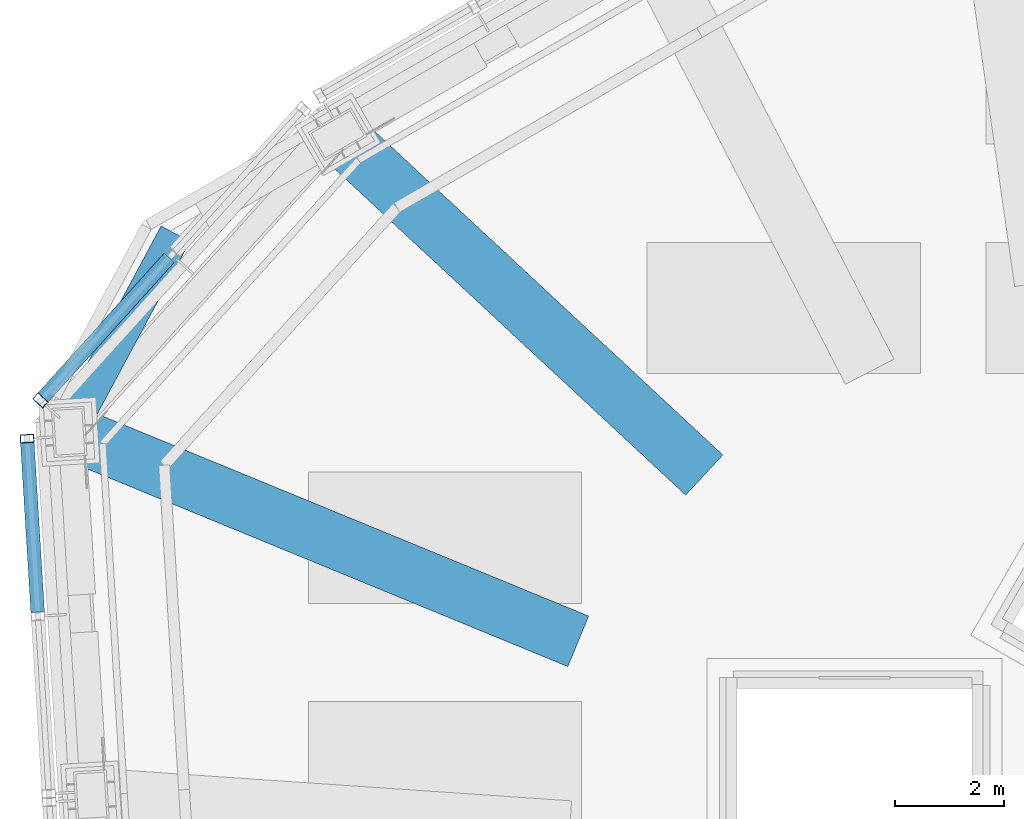
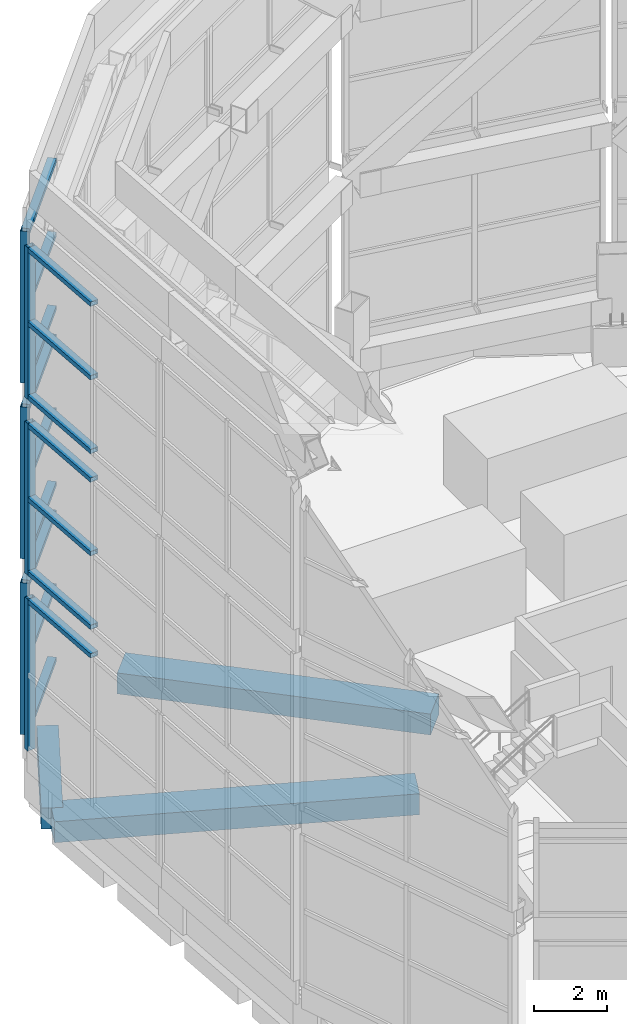
# One storey, part 8 of 46: 22 members, 3 beams, 6 elements without a shape of their own.
"""IFC4 building model written with IfcOpenShell, lengths in metres."""

from ifc_helpers import new_model, si_unit, direction, frame, origin, origin_2d, place, context, subcontext, project, spatial, rectangle, hollow_rectangle, extrude, material, material_profile, profile_set, type_object, element, aggregate, save


model = new_model("IFC4")

# Units and contexts
model_context = context("Model", 3, precision=1e-05, world=origin(), true_north=direction((0.0, 1.0)))
body_context = subcontext(model_context, "Body", "Model", "MODEL_VIEW")
ifc_project = project(units=[si_unit("LENGTHUNIT", "METRE"), si_unit("AREAUNIT", "SQUARE_METRE"), si_unit("VOLUMEUNIT", "CUBIC_METRE"), si_unit("PLANEANGLEUNIT", "RADIAN"), si_unit("MASSUNIT", "GRAM", prefix="KILO")], contexts=[model_context])

# Site, building, storey
site_placement = place(None, origin())
site = spatial("IfcSite", under=ifc_project, at=site_placement, CompositionType="ELEMENT")
building_placement = place(site_placement, origin())
building = spatial("IfcBuilding", under=site, at=building_placement, Name="Vanh Sen Convention Tower", CompositionType="ELEMENT")
storey_placement = place(building_placement, frame((0.0, 0.0, 305.0)))
storey = spatial("IfcBuildingStorey", under=building, at=storey_placement, Name="Roof level", CompositionType="ELEMENT", Elevation=305.0)

# Curtain wall, member
ifc_material_1 = material(Name="Concrete C60/75", Category="concrete")
curtain_wall_type = type_object("IfcCurtainWallType", Name="Crown screen", PredefinedType="NOTDEFINED", material=ifc_material_1)
curtain_wall_1_placement = place(storey_placement, origin())
curtain_wall_1 = element("IfcCurtainWall", 1, at=curtain_wall_1_placement, inside=storey, type_object=curtain_wall_type, Name="CROWN SCREEN 09 tier 1", PredefinedType="NOTDEFINED")
ifc_material_2 = material(Name="Steel S355", Category="steel")
ifc_material_profile_1 = material_profile(ifc_material_2, hollow_rectangle(XDim=0.25, YDim=0.14990234375, WallThickness=0.008056640625, at=origin_2d()), Name="RHS 250X150X8")
ifc_profile_set_1 = profile_set([ifc_material_profile_1], Name="Steel S355")
member_type_1 = type_object("IfcMemberType", Name="Crown screen mullion RHS 250X150X8", PredefinedType="MULLION", material=ifc_profile_set_1)
member_1_placement = place(storey_placement, frame((-19.84619140625, 8.52197265625, 2.14501953125), z_axis=(0.0, 0.0, 1.0), x_axis=(0.742232346529, -0.67014262942, 0.0)))
member_1 = element("IfcMember", 2, at=member_1_placement, type_object=member_type_1, Name="CROWN SCREEN6 mullion 3", PredefinedType="MULLION", context=body_context, shape_type="SweptSolid", body=[
    extrude(hollow_rectangle(XDim=0.25, YDim=0.14990234375, WallThickness=0.008056640625, at=origin_2d()), origin(), (0.0, 0.0, 1.0), 5.068359375),
])

curtain_wall_2_placement = place(storey_placement, origin())
curtain_wall_2 = element("IfcCurtainWall", 3, at=curtain_wall_2_placement, inside=storey, type_object=curtain_wall_type, Name="CROWN SCREEN 09 tier 2", PredefinedType="NOTDEFINED")
member_2_placement = place(storey_placement, frame((-19.84619140625, 8.52197265625, 8.01318359375), z_axis=(0.0, 0.0, 1.0), x_axis=(0.742232346529, -0.67014262942, 0.0)))
member_2 = element("IfcMember", 4, at=member_2_placement, type_object=member_type_1, Name="CROWN SCREEN6 mullion 3", PredefinedType="MULLION", context=body_context, shape_type="SweptSolid", body=[
    extrude(hollow_rectangle(XDim=0.25, YDim=0.14990234375, WallThickness=0.008056640625, at=origin_2d()), origin(), (0.0, 0.0, 1.0), 5.068603515625),
])

curtain_wall_3_placement = place(storey_placement, origin())
curtain_wall_3 = element("IfcCurtainWall", 5, at=curtain_wall_3_placement, inside=storey, type_object=curtain_wall_type, Name="CROWN SCREEN 09 tier 3", PredefinedType="NOTDEFINED")
member_3_placement = place(storey_placement, frame((-19.84619140625, 8.52197265625, 13.881591796875), z_axis=(0.0, 0.0, 1.0), x_axis=(0.742232346529, -0.67014262942, 0.0)))
member_3 = element("IfcMember", 6, at=member_3_placement, type_object=member_type_1, Name="CROWN SCREEN6 mullion 3", PredefinedType="MULLION", context=body_context, shape_type="SweptSolid", body=[
    extrude(hollow_rectangle(XDim=0.25, YDim=0.14990234375, WallThickness=0.008056640625, at=origin_2d()), origin(), (0.0, 0.0, 1.0), 5.068359375),
])

curtain_wall_4_placement = place(storey_placement, origin())
curtain_wall_4 = element("IfcCurtainWall", 7, at=curtain_wall_4_placement, inside=storey, type_object=curtain_wall_type, Name="CROWN SCREEN 10 tier 1", PredefinedType="NOTDEFINED")
member_4_placement = place(storey_placement, frame((-20.09033203125, 7.82470703125, 2.14501953125), z_axis=(0.0, 0.0, 1.0), x_axis=(0.998134674694, 0.061050562431, 0.0)))
member_4 = element("IfcMember", 8, at=member_4_placement, type_object=member_type_1, Name="CROWN SCREEN6 mullion 1", PredefinedType="MULLION", context=body_context, shape_type="SweptSolid", body=[
    extrude(hollow_rectangle(XDim=0.25, YDim=0.14990234375, WallThickness=0.008056640625, at=origin_2d()), origin(), (0.0, 0.0, 1.0), 5.068359375),
])

curtain_wall_5_placement = place(storey_placement, origin())
curtain_wall_5 = element("IfcCurtainWall", 9, at=curtain_wall_5_placement, inside=storey, type_object=curtain_wall_type, Name="CROWN SCREEN 10 tier 2", PredefinedType="NOTDEFINED")
member_5_placement = place(storey_placement, frame((-20.09033203125, 7.82470703125, 8.01318359375), z_axis=(0.0, 0.0, 1.0), x_axis=(0.998134674694, 0.061050562431, 0.0)))
member_5 = element("IfcMember", 10, at=member_5_placement, type_object=member_type_1, Name="CROWN SCREEN6 mullion 1", PredefinedType="MULLION", context=body_context, shape_type="SweptSolid", body=[
    extrude(hollow_rectangle(XDim=0.25, YDim=0.14990234375, WallThickness=0.008056640625, at=origin_2d()), origin(), (0.0, 0.0, 1.0), 5.068603515625),
])

curtain_wall_6_placement = place(storey_placement, origin())
curtain_wall_6 = element("IfcCurtainWall", 11, at=curtain_wall_6_placement, inside=storey, type_object=curtain_wall_type, Name="CROWN SCREEN 10 tier 3", PredefinedType="NOTDEFINED")
member_6_placement = place(storey_placement, frame((-20.09033203125, 7.82470703125, 13.881591796875), z_axis=(0.0, 0.0, 1.0), x_axis=(0.998134674694, 0.061050562431, 0.0)))
member_6 = element("IfcMember", 12, at=member_6_placement, type_object=member_type_1, Name="CROWN SCREEN6 mullion 1", PredefinedType="MULLION", context=body_context, shape_type="SweptSolid", body=[
    extrude(hollow_rectangle(XDim=0.25, YDim=0.14990234375, WallThickness=0.008056640625, at=origin_2d()), origin(), (0.0, 0.0, 1.0), 5.068359375),
])

# Member
ifc_material_profile_2 = material_profile(ifc_material_2, hollow_rectangle(XDim=0.25, YDim=0.14990234375, WallThickness=0.008056640625, at=origin_2d()), Name="RHS 250X150X8")
ifc_profile_set_2 = profile_set([ifc_material_profile_2], Name="Steel S355")
member_type_2 = type_object("IfcMemberType", Name="Crown screen transom RHS 250X150X8", PredefinedType="USERDEFINED", material=ifc_profile_set_2)
member_7_placement = place(storey_placement, frame((-17.48876953125, 11.1328125, 2.219970703125), z_axis=(-0.670162784552, -0.742214148478, 0.0), x_axis=(0.742214148478, -0.670162784552, 0.0)))
member_7 = element("IfcMember", 13, at=member_7_placement, type_object=member_type_2, Name="CROWN SCREEN6 transom 2.1", ObjectType="TRANSOM", PredefinedType="USERDEFINED", context=body_context, shape_type="SweptSolid", body=[
    extrude(hollow_rectangle(XDim=0.25, YDim=0.14990234375, WallThickness=0.008056640625, at=origin_2d()), origin(), (0.0, 0.0, 1.0), 3.442626953125),
])

member_8_placement = place(storey_placement, frame((-17.48876953125, 11.1328125, 4.67919921875), z_axis=(-0.670162784552, -0.742214148478, 0.0), x_axis=(0.742214148478, -0.670162784552, 0.0)))
member_8 = element("IfcMember", 14, at=member_8_placement, type_object=member_type_2, Name="CROWN SCREEN6 transom 2.2", ObjectType="TRANSOM", PredefinedType="USERDEFINED", context=body_context, shape_type="SweptSolid", body=[
    extrude(hollow_rectangle(XDim=0.25, YDim=0.14990234375, WallThickness=0.008056640625, at=origin_2d()), origin(), (0.0, 0.0, 1.0), 3.442626953125),
])

member_9_placement = place(storey_placement, frame((-17.48876953125, 11.1328125, 7.13818359375), z_axis=(-0.670162784552, -0.742214148478, 0.0), x_axis=(0.742214148478, -0.670162784552, 0.0)))
member_9 = element("IfcMember", 15, at=member_9_placement, type_object=member_type_2, Name="CROWN SCREEN6 transom 2.3", ObjectType="TRANSOM", PredefinedType="USERDEFINED", context=body_context, shape_type="SweptSolid", body=[
    extrude(hollow_rectangle(XDim=0.25, YDim=0.14990234375, WallThickness=0.008056640625, at=origin_2d()), origin(), (0.0, 0.0, 1.0), 3.442626953125),
])

aggregate(curtain_wall_1, [member_1, member_7, member_8, member_9])

member_10_placement = place(storey_placement, frame((-17.48876953125, 11.1328125, 8.08837890625), z_axis=(-0.670162784552, -0.742214148478, 0.0), x_axis=(0.742214148478, -0.670162784552, 0.0)))
member_10 = element("IfcMember", 16, at=member_10_placement, type_object=member_type_2, Name="CROWN SCREEN6 transom 2.1", ObjectType="TRANSOM", PredefinedType="USERDEFINED", context=body_context, shape_type="SweptSolid", body=[
    extrude(hollow_rectangle(XDim=0.25, YDim=0.14990234375, WallThickness=0.008056640625, at=origin_2d()), origin(), (0.0, 0.0, 1.0), 3.442626953125),
])

member_11_placement = place(storey_placement, frame((-17.48876953125, 11.1328125, 10.547607421875), z_axis=(-0.670162784552, -0.742214148478, 0.0), x_axis=(0.742214148478, -0.670162784552, 0.0)))
member_11 = element("IfcMember", 17, at=member_11_placement, type_object=member_type_2, Name="CROWN SCREEN6 transom 2.2", ObjectType="TRANSOM", PredefinedType="USERDEFINED", context=body_context, shape_type="SweptSolid", body=[
    extrude(hollow_rectangle(XDim=0.25, YDim=0.14990234375, WallThickness=0.008056640625, at=origin_2d()), origin(), (0.0, 0.0, 1.0), 3.442626953125),
])

member_12_placement = place(storey_placement, frame((-17.48876953125, 11.1328125, 13.006591796875), z_axis=(-0.670162784552, -0.742214148478, 0.0), x_axis=(0.742214148478, -0.670162784552, 0.0)))
member_12 = element("IfcMember", 18, at=member_12_placement, type_object=member_type_2, Name="CROWN SCREEN6 transom 2.3", ObjectType="TRANSOM", PredefinedType="USERDEFINED", context=body_context, shape_type="SweptSolid", body=[
    extrude(hollow_rectangle(XDim=0.25, YDim=0.14990234375, WallThickness=0.008056640625, at=origin_2d()), origin(), (0.0, 0.0, 1.0), 3.442626953125),
])

aggregate(curtain_wall_2, [member_2, member_10, member_11, member_12])

member_13_placement = place(storey_placement, frame((-17.48876953125, 11.1328125, 13.956787109375), z_axis=(-0.670162784552, -0.742214148478, 0.0), x_axis=(0.742214148478, -0.670162784552, 0.0)))
member_13 = element("IfcMember", 19, at=member_13_placement, type_object=member_type_2, Name="CROWN SCREEN6 transom 2.1", ObjectType="TRANSOM", PredefinedType="USERDEFINED", context=body_context, shape_type="SweptSolid", body=[
    extrude(hollow_rectangle(XDim=0.25, YDim=0.14990234375, WallThickness=0.008056640625, at=origin_2d()), origin(), (0.0, 0.0, 1.0), 3.442626953125),
])

member_14_placement = place(storey_placement, frame((-17.48876953125, 11.1328125, 16.415771484375), z_axis=(-0.670162784552, -0.742214148478, 0.0), x_axis=(0.742214148478, -0.670162784552, 0.0)))
member_14 = element("IfcMember", 20, at=member_14_placement, type_object=member_type_2, Name="CROWN SCREEN6 transom 2.2", ObjectType="TRANSOM", PredefinedType="USERDEFINED", context=body_context, shape_type="SweptSolid", body=[
    extrude(hollow_rectangle(XDim=0.25, YDim=0.14990234375, WallThickness=0.008056640625, at=origin_2d()), origin(), (0.0, 0.0, 1.0), 3.442626953125),
])

member_15_placement = place(storey_placement, frame((-17.48876953125, 11.1328125, 18.875), z_axis=(-0.670162784552, -0.742214148478, 0.0), x_axis=(0.742214148478, -0.670162784552, 0.0)))
member_15 = element("IfcMember", 21, at=member_15_placement, type_object=member_type_2, Name="CROWN SCREEN6 transom 2.3", ObjectType="TRANSOM", PredefinedType="USERDEFINED", context=body_context, shape_type="SweptSolid", body=[
    extrude(hollow_rectangle(XDim=0.25, YDim=0.14990234375, WallThickness=0.008056640625, at=origin_2d()), origin(), (0.0, 0.0, 1.0), 3.442626953125),
])

aggregate(curtain_wall_3, [member_3, member_13, member_14, member_15])

member_16_placement = place(storey_placement, frame((-20.085693359375, 7.749755859375, 7.13818359375), z_axis=(0.061062128377, -0.9981339672, 0.0), x_axis=(0.9981339672, 0.061062128377, 0.0)))
member_16 = element("IfcMember", 22, at=member_16_placement, type_object=member_type_2, Name="CROWN SCREEN6 transom 1.3", ObjectType="TRANSOM", PredefinedType="USERDEFINED", context=body_context, shape_type="SweptSolid", body=[
    extrude(hollow_rectangle(XDim=0.25, YDim=0.14990234375, WallThickness=0.008056640625, at=origin_2d()), origin(), (0.0, 0.0, 1.0), 3.106689453125),
])

aggregate(curtain_wall_4, [member_4, member_16])

member_17_placement = place(storey_placement, frame((-20.085693359375, 7.749755859375, 8.08837890625), z_axis=(0.061062128377, -0.9981339672, 0.0), x_axis=(0.9981339672, 0.061062128377, 0.0)))
member_17 = element("IfcMember", 23, at=member_17_placement, type_object=member_type_2, Name="CROWN SCREEN6 transom 1.1", ObjectType="TRANSOM", PredefinedType="USERDEFINED", context=body_context, shape_type="SweptSolid", body=[
    extrude(hollow_rectangle(XDim=0.25, YDim=0.14990234375, WallThickness=0.008056640625, at=origin_2d()), origin(), (0.0, 0.0, 1.0), 3.106689453125),
])

member_18_placement = place(storey_placement, frame((-20.085693359375, 7.749755859375, 10.547607421875), z_axis=(0.061062128377, -0.9981339672, 0.0), x_axis=(0.9981339672, 0.061062128377, 0.0)))
member_18 = element("IfcMember", 24, at=member_18_placement, type_object=member_type_2, Name="CROWN SCREEN6 transom 1.2", ObjectType="TRANSOM", PredefinedType="USERDEFINED", context=body_context, shape_type="SweptSolid", body=[
    extrude(hollow_rectangle(XDim=0.25, YDim=0.14990234375, WallThickness=0.008056640625, at=origin_2d()), origin(), (0.0, 0.0, 1.0), 3.106689453125),
])

member_19_placement = place(storey_placement, frame((-20.085693359375, 7.749755859375, 13.006591796875), z_axis=(0.061062128377, -0.9981339672, 0.0), x_axis=(0.9981339672, 0.061062128377, 0.0)))
member_19 = element("IfcMember", 25, at=member_19_placement, type_object=member_type_2, Name="CROWN SCREEN6 transom 1.3", ObjectType="TRANSOM", PredefinedType="USERDEFINED", context=body_context, shape_type="SweptSolid", body=[
    extrude(hollow_rectangle(XDim=0.25, YDim=0.14990234375, WallThickness=0.008056640625, at=origin_2d()), origin(), (0.0, 0.0, 1.0), 3.106689453125),
])

aggregate(curtain_wall_5, [member_5, member_17, member_18, member_19])

member_20_placement = place(storey_placement, frame((-20.085693359375, 7.749755859375, 13.956787109375), z_axis=(0.061062128377, -0.9981339672, 0.0), x_axis=(0.9981339672, 0.061062128377, 0.0)))
member_20 = element("IfcMember", 26, at=member_20_placement, type_object=member_type_2, Name="CROWN SCREEN6 transom 1.1", ObjectType="TRANSOM", PredefinedType="USERDEFINED", context=body_context, shape_type="SweptSolid", body=[
    extrude(hollow_rectangle(XDim=0.25, YDim=0.14990234375, WallThickness=0.008056640625, at=origin_2d()), origin(), (0.0, 0.0, 1.0), 3.106689453125),
])

member_21_placement = place(storey_placement, frame((-20.085693359375, 7.749755859375, 16.415771484375), z_axis=(0.061062128377, -0.9981339672, 0.0), x_axis=(0.9981339672, 0.061062128377, 0.0)))
member_21 = element("IfcMember", 27, at=member_21_placement, type_object=member_type_2, Name="CROWN SCREEN6 transom 1.2", ObjectType="TRANSOM", PredefinedType="USERDEFINED", context=body_context, shape_type="SweptSolid", body=[
    extrude(hollow_rectangle(XDim=0.25, YDim=0.14990234375, WallThickness=0.008056640625, at=origin_2d()), origin(), (0.0, 0.0, 1.0), 3.106689453125),
])

member_22_placement = place(storey_placement, frame((-20.085693359375, 7.749755859375, 18.875), z_axis=(0.061062128377, -0.9981339672, 0.0), x_axis=(0.9981339672, 0.061062128377, 0.0)))
member_22 = element("IfcMember", 28, at=member_22_placement, type_object=member_type_2, Name="CROWN SCREEN6 transom 1.3", ObjectType="TRANSOM", PredefinedType="USERDEFINED", context=body_context, shape_type="SweptSolid", body=[
    extrude(hollow_rectangle(XDim=0.25, YDim=0.14990234375, WallThickness=0.008056640625, at=origin_2d()), origin(), (0.0, 0.0, 1.0), 3.106689453125),
])

aggregate(curtain_wall_6, [member_6, member_20, member_21, member_22])

# Beams
ifc_material_3 = material(Name="Concrete C50/60", Category="concrete")
ifc_material_profile_3 = material_profile(ifc_material_3, rectangle(XDim=1.0, YDim=0.699951171875, at=origin_2d()), Name="RC 1000X700")
ifc_profile_set_3 = profile_set([ifc_material_profile_3], Name="Concrete C50/60")
beam_type_1 = type_object("IfcBeamType", Name="Radial floor beam 1000 x 700", PredefinedType="BEAM", material=ifc_profile_set_3)
beam_1_placement = place(storey_placement, frame((-14.14111328125, 13.1455078125, -0.64990234375), z_axis=(0.732424605886, -0.680848145104, 0.0), x_axis=(0.680848145104, 0.732424605886, 0.0)))
element("IfcBeam", 29, at=beam_1_placement, inside=storey, type_object=beam_type_1, Name="Radial beam 09 Roof level", PredefinedType="BEAM", context=body_context, shape_type="SweptSolid", body=[
    extrude(rectangle(XDim=1.0, YDim=0.699951171875, at=origin_2d()), origin(), (0.0, 0.0, 1.0), 8.794921875),
])
beam_2_placement = place(storey_placement, frame((-19.32568359375, 7.94873046875, -0.64990234375), z_axis=(0.924822519445, -0.380398879504, 0.0), x_axis=(0.380398879504, 0.924822519445, 0.0)))
element("IfcBeam", 30, at=beam_2_placement, inside=storey, type_object=beam_type_1, Name="Radial beam 10 Roof level", PredefinedType="BEAM", context=body_context, shape_type="SweptSolid", body=[
    extrude(rectangle(XDim=1.0, YDim=0.699951171875, at=origin_2d()), origin(), (0.0, 0.0, 1.0), 10.078125),
])
ifc_material_profile_4 = material_profile(ifc_material_3, rectangle(XDim=0.60009765625, YDim=0.699951171875, at=origin_2d()), Name="RC 600X700")
ifc_profile_set_4 = profile_set([ifc_material_profile_4], Name="Concrete C50/60")
beam_type_2 = type_object("IfcBeamType", Name="Spandrel beam 600 x 700", PredefinedType="SPANDREL", material=ifc_profile_set_4)
beam_3_placement = place(storey_placement, frame((-17.373779296875, 11.571044921875, -0.64990234375), z_axis=(-0.47334933891, -0.880874794368, 0.0), x_axis=(0.880874794368, -0.47334933891, 0.0)))
element("IfcBeam", 31, at=beam_3_placement, inside=storey, type_object=beam_type_2, Name="Spandrel beam 18 Roof level", PredefinedType="SPANDREL", context=body_context, shape_type="SweptSolid", body=[
    extrude(rectangle(XDim=0.60009765625, YDim=0.699951171875, at=origin_2d()), origin(), (0.0, 0.0, 1.0), 3.93896484375),
])

save(model, "model.ifc")
